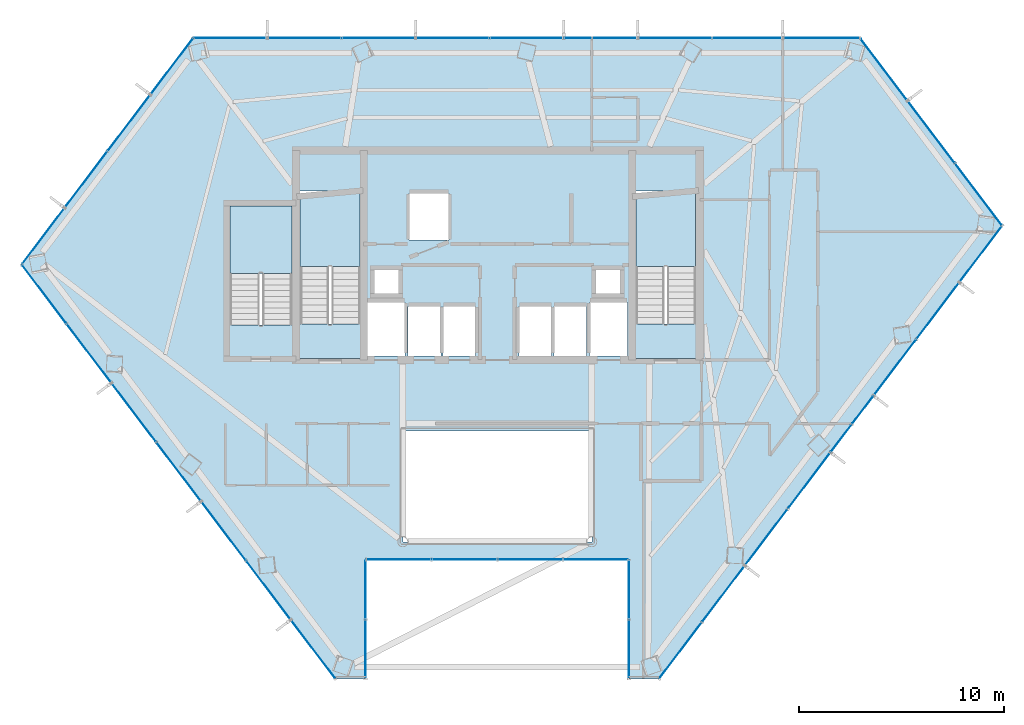
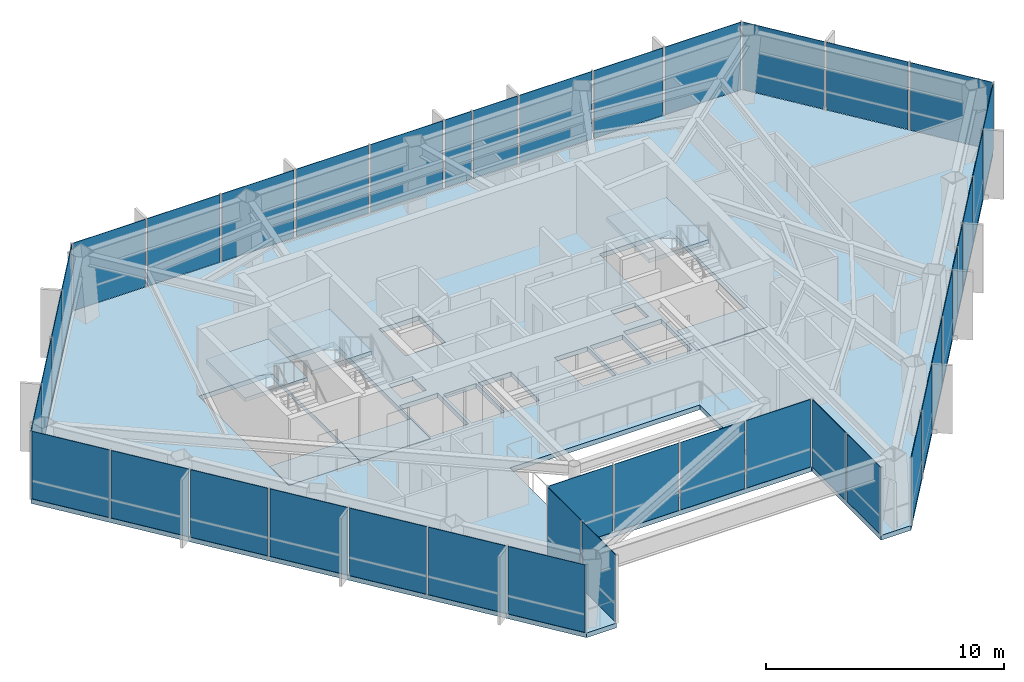
# One storey, part 26 of 30: 41 plates, 7 slabs, 11 elements without a shape of their own.
"""IFC4 building model written with IfcOpenShell, lengths in metres."""

from ifc_helpers import new_model, si_unit, direction, frame, origin, origin_2d, place, context, subcontext, project, spatial, polyline, rectangle, outline, extrude, material, layer, layer_set, type_object, element, aggregate, save


model = new_model("IFC4")

# Units and contexts
model_context = context("Model", 3, precision=1e-05, world=origin(), true_north=direction((0.0, 1.0)))
body_context = subcontext(model_context, "Body", "Model", "MODEL_VIEW")
ifc_project = project(units=[si_unit("LENGTHUNIT", "METRE"), si_unit("AREAUNIT", "SQUARE_METRE"), si_unit("VOLUMEUNIT", "CUBIC_METRE"), si_unit("PLANEANGLEUNIT", "RADIAN"), si_unit("MASSUNIT", "GRAM", prefix="KILO")], contexts=[model_context])

# Site, building, storey
site_placement = place(None, origin())
site = spatial("IfcSite", under=ifc_project, at=site_placement, CompositionType="ELEMENT")
building_placement = place(site_placement, origin())
building = spatial("IfcBuilding", under=site, at=building_placement, Name="Zarrinselat Tower", CompositionType="ELEMENT")
storey_placement = place(building_placement, frame((0.0, 0.0, 160.820068359375)))
storey = spatial("IfcBuildingStorey", under=building, at=storey_placement, Name="L39", CompositionType="ELEMENT", Elevation=160.820068359375)

# Curtain wall, plates
ifc_material_1 = material(Name="Extruded Aluminium Alloy EN AW-6063 T6", Category="aluminium")
ifc_layer_1 = layer(ifc_material_1, 0.175048828125)
ifc_layer_set_1 = layer_set([ifc_layer_1], Name="Extruded Aluminium Alloy EN AW-6063 T6")
curtain_wall_type_1 = type_object("IfcCurtainWallType", Name="CWS-HTL", PredefinedType="NOTDEFINED", material=ifc_layer_set_1)
curtain_wall_1_placement = place(storey_placement, origin())
curtain_wall_1 = element("IfcCurtainWall", 1, at=curtain_wall_1_placement, inside=storey, type_object=curtain_wall_type_1, Name="L39 Unitised Curtain Wall CW-L39-E01", PredefinedType="NOTDEFINED")
ifc_material_2 = material(Name="Double Low-E Laminated Solar Glass", Category="glass")
ifc_layer_2 = layer(ifc_material_2, 0.028076171875)
ifc_layer_set_2 = layer_set([ifc_layer_2], Name="Double Low-E Laminated Solar Glass")
plate_type = type_object("IfcPlateType", Name="PLT-CW-GL28", PredefinedType="CURTAIN_PANEL", material=ifc_layer_set_2)
plate_1_placement = place(storey_placement, frame((29.439697265625, 19.164306640625, 0.02001953125), z_axis=(0.0, 0.0, 1.0), x_axis=(-0.603857992276, 0.797091917639, 0.0)))
plate_1 = element("IfcPlate", 2, at=plate_1_placement, type_object=plate_type, Name="CW-L39-E01 Vision Glass Panel 1", PredefinedType="CURTAIN_PANEL", context=body_context, shape_type="SweptSolid", body=[
    extrude(rectangle(XDim=3.515869140625, YDim=0.028076171875, at=origin_2d()), origin(), (0.0, 0.0, 1.0), 3.4599609375),
])
plate_2_placement = place(storey_placement, frame((27.256103515625, 22.04638671875, 0.02001953125), z_axis=(0.0, 0.0, 1.0), x_axis=(-0.603857992276, 0.797091917639, 0.0)))
plate_2 = element("IfcPlate", 3, at=plate_2_placement, type_object=plate_type, Name="CW-L39-E01 Vision Glass Panel 2", PredefinedType="CURTAIN_PANEL", context=body_context, shape_type="SweptSolid", body=[
    extrude(rectangle(XDim=3.515869140625, YDim=0.028076171875, at=origin_2d()), origin(), (0.0, 0.0, 1.0), 3.4599609375),
])
plate_3_placement = place(storey_placement, frame((25.07275390625, 24.9287109375, 0.02001953125), z_axis=(0.0, 0.0, 1.0), x_axis=(-0.603857992276, 0.797091917639, 0.0)))
plate_3 = element("IfcPlate", 4, at=plate_3_placement, type_object=plate_type, Name="CW-L39-E01 Vision Glass Panel 3", PredefinedType="CURTAIN_PANEL", context=body_context, shape_type="SweptSolid", body=[
    extrude(rectangle(XDim=3.515869140625, YDim=0.028076171875, at=origin_2d()), origin(), (0.0, 0.0, 1.0), 3.4599609375),
])
plate_4_placement = place(storey_placement, frame((22.889404296875, 27.810791015625, 0.02001953125), z_axis=(0.0, 0.0, 1.0), x_axis=(-0.603857992276, 0.797091917639, 0.0)))
plate_4 = element("IfcPlate", 5, at=plate_4_placement, type_object=plate_type, Name="CW-L39-E01 Vision Glass Panel 4", PredefinedType="CURTAIN_PANEL", context=body_context, shape_type="SweptSolid", body=[
    extrude(rectangle(XDim=3.515869140625, YDim=0.028076171875, at=origin_2d()), origin(), (0.0, 0.0, 1.0), 3.4599609375),
])
plate_5_placement = place(storey_placement, frame((20.7060546875, 30.69287109375, 0.02001953125), z_axis=(0.0, 0.0, 1.0), x_axis=(-0.603857992276, 0.797091917639, 0.0)))
plate_5 = element("IfcPlate", 6, at=plate_5_placement, type_object=plate_type, Name="CW-L39-E01 Vision Glass Panel 5", PredefinedType="CURTAIN_PANEL", context=body_context, shape_type="SweptSolid", body=[
    extrude(rectangle(XDim=3.515869140625, YDim=0.028076171875, at=origin_2d()), origin(), (0.0, 0.0, 1.0), 3.4599609375),
])
plate_6_placement = place(storey_placement, frame((18.522705078125, 33.574951171875, 0.02001953125), z_axis=(0.0, 0.0, 1.0), x_axis=(-0.603857992276, 0.797091917639, 0.0)))
plate_6 = element("IfcPlate", 7, at=plate_6_placement, type_object=plate_type, Name="CW-L39-E01 Vision Glass Panel 6", PredefinedType="CURTAIN_PANEL", context=body_context, shape_type="SweptSolid", body=[
    extrude(rectangle(XDim=3.515869140625, YDim=0.028076171875, at=origin_2d()), origin(), (0.0, 0.0, 1.0), 3.4599609375),
])
plate_7_placement = place(storey_placement, frame((16.339111328125, 36.45703125, 0.02001953125), z_axis=(0.0, 0.0, 1.0), x_axis=(-0.603857992276, 0.797091917639, 0.0)))
plate_7 = element("IfcPlate", 8, at=plate_7_placement, type_object=plate_type, Name="CW-L39-E01 Vision Glass Panel 7", PredefinedType="CURTAIN_PANEL", context=body_context, shape_type="SweptSolid", body=[
    extrude(rectangle(XDim=3.515869140625, YDim=0.028076171875, at=origin_2d()), origin(), (0.0, 0.0, 1.0), 3.4599609375),
])
aggregate(curtain_wall_1, [plate_1, plate_2, plate_3, plate_4, plate_5, plate_6, plate_7])

curtain_wall_2_placement = place(storey_placement, origin())
curtain_wall_2 = element("IfcCurtainWall", 9, at=curtain_wall_2_placement, inside=storey, type_object=curtain_wall_type_1, Name="L39 Unitised Curtain Wall CW-L39-E02", PredefinedType="NOTDEFINED")
plate_8_placement = place(storey_placement, frame((16.291015625, 39.275390625, 0.02001953125), z_axis=(0.0, 0.0, 1.0), x_axis=(0.603857687995, 0.797092148154, 0.0)))
plate_8 = element("IfcPlate", 10, at=plate_8_placement, type_object=plate_type, Name="CW-L39-E02 Vision Glass Panel 1", PredefinedType="CURTAIN_PANEL", context=body_context, shape_type="SweptSolid", body=[
    extrude(rectangle(XDim=3.35595703125, YDim=0.028076171875, at=origin_2d()), origin(), (0.0, 0.0, 1.0), 3.4599609375),
])
plate_9_placement = place(storey_placement, frame((18.377685546875, 42.030029296875, 0.02001953125), z_axis=(0.0, 0.0, 1.0), x_axis=(0.603857687995, 0.797092148154, 0.0)))
plate_9 = element("IfcPlate", 11, at=plate_9_placement, type_object=plate_type, Name="CW-L39-E02 Vision Glass Panel 2", PredefinedType="CURTAIN_PANEL", context=body_context, shape_type="SweptSolid", body=[
    extrude(rectangle(XDim=3.35595703125, YDim=0.028076171875, at=origin_2d()), origin(), (0.0, 0.0, 1.0), 3.4599609375),
])
plate_10_placement = place(storey_placement, frame((20.464599609375, 44.78466796875, 0.02001953125), z_axis=(0.0, 0.0, 1.0), x_axis=(0.603857687995, 0.797092148154, 0.0)))
plate_10 = element("IfcPlate", 12, at=plate_10_placement, type_object=plate_type, Name="CW-L39-E02 Vision Glass Panel 3", PredefinedType="CURTAIN_PANEL", context=body_context, shape_type="SweptSolid", body=[
    extrude(rectangle(XDim=3.35595703125, YDim=0.028076171875, at=origin_2d()), origin(), (0.0, 0.0, 1.0), 3.4599609375),
])
plate_11_placement = place(storey_placement, frame((22.551513671875, 47.539306640625, 0.02001953125), z_axis=(0.0, 0.0, 1.0), x_axis=(0.603857687995, 0.797092148154, 0.0)))
plate_11 = element("IfcPlate", 13, at=plate_11_placement, type_object=plate_type, Name="CW-L39-E02 Vision Glass Panel 4", PredefinedType="CURTAIN_PANEL", context=body_context, shape_type="SweptSolid", body=[
    extrude(rectangle(XDim=3.35595703125, YDim=0.028076171875, at=origin_2d()), origin(), (0.0, 0.0, 1.0), 3.4599609375),
])
aggregate(curtain_wall_2, [plate_8, plate_9, plate_10, plate_11])

curtain_wall_3_placement = place(storey_placement, origin())
curtain_wall_3 = element("IfcCurtainWall", 14, at=curtain_wall_3_placement, inside=storey, type_object=curtain_wall_type_1, Name="L39 Unitised Curtain Wall CW-L39-E03", PredefinedType="NOTDEFINED")
plate_12_placement = place(storey_placement, frame((25.39892578125, 48.916748046875, 0.02001953125), z_axis=(0.0, 0.0, 1.0), x_axis=(1.0, 0.0, 0.0)))
plate_12 = element("IfcPlate", 15, at=plate_12_placement, type_object=plate_type, Name="CW-L39-E03 Vision Glass Panel 1", PredefinedType="CURTAIN_PANEL", context=body_context, shape_type="SweptSolid", body=[
    extrude(rectangle(XDim=3.5078125, YDim=0.028076171875, at=origin_2d()), origin(), (0.0, 0.0, 1.0), 3.4599609375),
])
plate_13_placement = place(storey_placement, frame((29.006591796875, 48.916748046875, 0.02001953125), z_axis=(0.0, 0.0, 1.0), x_axis=(1.0, 0.0, 0.0)))
plate_13 = element("IfcPlate", 16, at=plate_13_placement, type_object=plate_type, Name="CW-L39-E03 Vision Glass Panel 2", PredefinedType="CURTAIN_PANEL", context=body_context, shape_type="SweptSolid", body=[
    extrude(rectangle(XDim=3.5078125, YDim=0.028076171875, at=origin_2d()), origin(), (0.0, 0.0, 1.0), 3.4599609375),
])
plate_14_placement = place(storey_placement, frame((32.614501953125, 48.916748046875, 0.02001953125), z_axis=(0.0, 0.0, 1.0), x_axis=(1.0, 0.0, 0.0)))
plate_14 = element("IfcPlate", 17, at=plate_14_placement, type_object=plate_type, Name="CW-L39-E03 Vision Glass Panel 3", PredefinedType="CURTAIN_PANEL", context=body_context, shape_type="SweptSolid", body=[
    extrude(rectangle(XDim=3.5078125, YDim=0.028076171875, at=origin_2d()), origin(), (0.0, 0.0, 1.0), 3.4599609375),
])
plate_15_placement = place(storey_placement, frame((36.222412109375, 48.916748046875, 0.02001953125), z_axis=(0.0, 0.0, 1.0), x_axis=(1.0, 0.0, 0.0)))
plate_15 = element("IfcPlate", 18, at=plate_15_placement, type_object=plate_type, Name="CW-L39-E03 Vision Glass Panel 4", PredefinedType="CURTAIN_PANEL", context=body_context, shape_type="SweptSolid", body=[
    extrude(rectangle(XDim=3.5078125, YDim=0.028076171875, at=origin_2d()), origin(), (0.0, 0.0, 1.0), 3.4599609375),
])
plate_16_placement = place(storey_placement, frame((39.830078125, 48.916748046875, 0.02001953125), z_axis=(0.0, 0.0, 1.0), x_axis=(1.0, 0.0, 0.0)))
plate_16 = element("IfcPlate", 19, at=plate_16_placement, type_object=plate_type, Name="CW-L39-E03 Vision Glass Panel 5", PredefinedType="CURTAIN_PANEL", context=body_context, shape_type="SweptSolid", body=[
    extrude(rectangle(XDim=3.5078125, YDim=0.028076171875, at=origin_2d()), origin(), (0.0, 0.0, 1.0), 3.4599609375),
])
plate_17_placement = place(storey_placement, frame((42.31689453125, 48.916748046875, 0.02001953125), z_axis=(0.0, 0.0, 1.0), x_axis=(1.0, 0.0, 0.0)))
plate_17 = element("IfcPlate", 20, at=plate_17_placement, type_object=plate_type, Name="CW-L39-E03 Vision Glass Panel 6", PredefinedType="CURTAIN_PANEL", context=body_context, shape_type="SweptSolid", body=[
    extrude(rectangle(XDim=1.26611328125, YDim=0.028076171875, at=origin_2d()), origin(), (0.0, 0.0, 1.0), 3.4599609375),
])
plate_18_placement = place(storey_placement, frame((44.120849609375, 48.916748046875, 0.02001953125), z_axis=(0.0, 0.0, 1.0), x_axis=(1.0, 0.0, 0.0)))
plate_18 = element("IfcPlate", 21, at=plate_18_placement, type_object=plate_type, Name="CW-L39-E03 Vision Glass Panel 7", PredefinedType="CURTAIN_PANEL", context=body_context, shape_type="SweptSolid", body=[
    extrude(rectangle(XDim=2.141845703125, YDim=0.028076171875, at=origin_2d()), origin(), (0.0, 0.0, 1.0), 3.4599609375),
])
plate_19_placement = place(storey_placement, frame((47.045654296875, 48.916748046875, 0.02001953125), z_axis=(0.0, 0.0, 1.0), x_axis=(1.0, 0.0, 0.0)))
plate_19 = element("IfcPlate", 22, at=plate_19_placement, type_object=plate_type, Name="CW-L39-E03 Vision Glass Panel 8", PredefinedType="CURTAIN_PANEL", context=body_context, shape_type="SweptSolid", body=[
    extrude(rectangle(XDim=3.5078125, YDim=0.028076171875, at=origin_2d()), origin(), (0.0, 0.0, 1.0), 3.4599609375),
])
plate_20_placement = place(storey_placement, frame((50.57470703125, 48.916748046875, 0.02001953125), z_axis=(0.0, 0.0, 1.0), x_axis=(1.0, 0.0, 0.0)))
plate_20 = element("IfcPlate", 23, at=plate_20_placement, type_object=plate_type, Name="CW-L39-E03 Vision Glass Panel 9", PredefinedType="CURTAIN_PANEL", context=body_context, shape_type="SweptSolid", body=[
    extrude(rectangle(XDim=3.350341796875, YDim=0.028076171875, at=origin_2d()), origin(), (0.0, 0.0, 1.0), 3.4599609375),
])
plate_21_placement = place(storey_placement, frame((54.1826171875, 48.916748046875, 0.02001953125), z_axis=(0.0, 0.0, 1.0), x_axis=(1.0, 0.0, 0.0)))
plate_21 = element("IfcPlate", 24, at=plate_21_placement, type_object=plate_type, Name="CW-L39-E03 Vision Glass Panel 10", PredefinedType="CURTAIN_PANEL", context=body_context, shape_type="SweptSolid", body=[
    extrude(rectangle(XDim=3.665283203125, YDim=0.028076171875, at=origin_2d()), origin(), (0.0, 0.0, 1.0), 3.4599609375),
])
aggregate(curtain_wall_3, [plate_12, plate_13, plate_14, plate_15, plate_16, plate_17, plate_18, plate_19, plate_20, plate_21])

curtain_wall_4_placement = place(storey_placement, origin())
curtain_wall_4 = element("IfcCurtainWall", 25, at=curtain_wall_4_placement, inside=storey, type_object=curtain_wall_type_1, Name="L39 Unitised Curtain Wall CW-L39-E04", PredefinedType="NOTDEFINED")
plate_22_placement = place(storey_placement, frame((57.218017578125, 47.39501953125, 0.02001953125), z_axis=(0.0, 0.0, 1.0), x_axis=(0.603856343425, -0.797093166766, 0.0)))
plate_22 = element("IfcPlate", 26, at=plate_22_placement, type_object=plate_type, Name="CW-L39-E04 Vision Glass Panel 1", PredefinedType="CURTAIN_PANEL", context=body_context, shape_type="SweptSolid", body=[
    extrude(rectangle(XDim=3.718505859375, YDim=0.028076171875, at=origin_2d()), origin(), (0.0, 0.0, 1.0), 3.4599609375),
])
plate_23_placement = place(storey_placement, frame((59.52392578125, 44.351318359375, 0.02001953125), z_axis=(0.0, 0.0, 1.0), x_axis=(0.603856343425, -0.797093166766, 0.0)))
plate_23 = element("IfcPlate", 27, at=plate_23_placement, type_object=plate_type, Name="CW-L39-E04 Vision Glass Panel 2", PredefinedType="CURTAIN_PANEL", context=body_context, shape_type="SweptSolid", body=[
    extrude(rectangle(XDim=3.718505859375, YDim=0.028076171875, at=origin_2d()), origin(), (0.0, 0.0, 1.0), 3.4599609375),
])
plate_24_placement = place(storey_placement, frame((61.82958984375, 41.3076171875, 0.02001953125), z_axis=(0.0, 0.0, 1.0), x_axis=(0.603856343425, -0.797093166766, 0.0)))
plate_24 = element("IfcPlate", 28, at=plate_24_placement, type_object=plate_type, Name="CW-L39-E04 Vision Glass Panel 3", PredefinedType="CURTAIN_PANEL", context=body_context, shape_type="SweptSolid", body=[
    extrude(rectangle(XDim=3.718505859375, YDim=0.028076171875, at=origin_2d()), origin(), (0.0, 0.0, 1.0), 3.4599609375),
])
aggregate(curtain_wall_4, [plate_22, plate_23, plate_24])

curtain_wall_5_placement = place(storey_placement, origin())
curtain_wall_5 = element("IfcCurtainWall", 29, at=curtain_wall_5_placement, inside=storey, type_object=curtain_wall_type_1, Name="L39 Unitised Curtain Wall CW-L39-E05", PredefinedType="NOTDEFINED")
plate_25_placement = place(storey_placement, frame((61.93798828125, 38.40673828125, 0.02001953125), z_axis=(0.0, 0.0, 1.0), x_axis=(-0.603858522722, -0.797091515785, 0.0)))
plate_25 = element("IfcPlate", 30, at=plate_25_placement, type_object=plate_type, Name="CW-L39-E05 Vision Glass Panel 1", PredefinedType="CURTAIN_PANEL", context=body_context, shape_type="SweptSolid", body=[
    extrude(rectangle(XDim=3.35986328125, YDim=0.028076171875, at=origin_2d()), origin(), (0.0, 0.0, 1.0), 3.4599609375),
])
plate_26_placement = place(storey_placement, frame((59.8486328125, 35.64892578125, 0.02001953125), z_axis=(0.0, 0.0, 1.0), x_axis=(-0.603858522722, -0.797091515785, 0.0)))
plate_26 = element("IfcPlate", 31, at=plate_26_placement, type_object=plate_type, Name="CW-L39-E05 Vision Glass Panel 2", PredefinedType="CURTAIN_PANEL", context=body_context, shape_type="SweptSolid", body=[
    extrude(rectangle(XDim=3.35986328125, YDim=0.028076171875, at=origin_2d()), origin(), (0.0, 0.0, 1.0), 3.4599609375),
])
plate_27_placement = place(storey_placement, frame((57.759521484375, 32.89111328125, 0.02001953125), z_axis=(0.0, 0.0, 1.0), x_axis=(-0.603858522722, -0.797091515785, 0.0)))
plate_27 = element("IfcPlate", 32, at=plate_27_placement, type_object=plate_type, Name="CW-L39-E05 Vision Glass Panel 3", PredefinedType="CURTAIN_PANEL", context=body_context, shape_type="SweptSolid", body=[
    extrude(rectangle(XDim=3.35986328125, YDim=0.028076171875, at=origin_2d()), origin(), (0.0, 0.0, 1.0), 3.4599609375),
])
plate_28_placement = place(storey_placement, frame((56.18505859375, 30.81298828125, 0.02001953125), z_axis=(0.0, 0.0, 1.0), x_axis=(-0.603858522722, -0.797091515785, 0.0)))
plate_28 = element("IfcPlate", 33, at=plate_28_placement, type_object=plate_type, Name="CW-L39-E05 Vision Glass Panel 4", PredefinedType="CURTAIN_PANEL", context=body_context, shape_type="SweptSolid", body=[
    extrude(rectangle(XDim=1.654541015625, YDim=0.028076171875, at=origin_2d()), origin(), (0.0, 0.0, 1.0), 3.4599609375),
])
plate_29_placement = place(storey_placement, frame((55.140380859375, 29.43408203125, 0.02001953125), z_axis=(0.0, 0.0, 1.0), x_axis=(-0.603858522722, -0.797091515785, 0.0)))
plate_29 = element("IfcPlate", 34, at=plate_29_placement, type_object=plate_type, Name="CW-L39-E05 Vision Glass Panel 5", PredefinedType="CURTAIN_PANEL", context=body_context, shape_type="SweptSolid", body=[
    extrude(rectangle(XDim=1.605224609375, YDim=0.028076171875, at=origin_2d()), origin(), (0.0, 0.0, 1.0), 3.4599609375),
])
plate_30_placement = place(storey_placement, frame((53.5810546875, 27.375732421875, 0.02001953125), z_axis=(0.0, 0.0, 1.0), x_axis=(-0.603858522722, -0.797091515785, 0.0)))
plate_30 = element("IfcPlate", 35, at=plate_30_placement, type_object=plate_type, Name="CW-L39-E05 Vision Glass Panel 6", PredefinedType="CURTAIN_PANEL", context=body_context, shape_type="SweptSolid", body=[
    extrude(rectangle(XDim=3.35986328125, YDim=0.028076171875, at=origin_2d()), origin(), (0.0, 0.0, 1.0), 3.4599609375),
])
plate_31_placement = place(storey_placement, frame((51.49169921875, 24.617919921875, 0.02001953125), z_axis=(0.0, 0.0, 1.0), x_axis=(-0.603858522722, -0.797091515785, 0.0)))
plate_31 = element("IfcPlate", 36, at=plate_31_placement, type_object=plate_type, Name="CW-L39-E05 Vision Glass Panel 7", PredefinedType="CURTAIN_PANEL", context=body_context, shape_type="SweptSolid", body=[
    extrude(rectangle(XDim=3.35986328125, YDim=0.028076171875, at=origin_2d()), origin(), (0.0, 0.0, 1.0), 3.4599609375),
])
plate_32_placement = place(storey_placement, frame((49.402587890625, 21.860107421875, 0.02001953125), z_axis=(0.0, 0.0, 1.0), x_axis=(-0.603858522722, -0.797091515785, 0.0)))
plate_32 = element("IfcPlate", 37, at=plate_32_placement, type_object=plate_type, Name="CW-L39-E05 Vision Glass Panel 8", PredefinedType="CURTAIN_PANEL", context=body_context, shape_type="SweptSolid", body=[
    extrude(rectangle(XDim=3.35986328125, YDim=0.028076171875, at=origin_2d()), origin(), (0.0, 0.0, 1.0), 3.4599609375),
])
plate_33_placement = place(storey_placement, frame((47.313232421875, 19.102294921875, 0.02001953125), z_axis=(0.0, 0.0, 1.0), x_axis=(-0.603858522722, -0.797091515785, 0.0)))
plate_33 = element("IfcPlate", 38, at=plate_33_placement, type_object=plate_type, Name="CW-L39-E05 Vision Glass Panel 9", PredefinedType="CURTAIN_PANEL", context=body_context, shape_type="SweptSolid", body=[
    extrude(rectangle(XDim=3.35986328125, YDim=0.028076171875, at=origin_2d()), origin(), (0.0, 0.0, 1.0), 3.4599609375),
])
aggregate(curtain_wall_5, [plate_25, plate_26, plate_27, plate_28, plate_29, plate_30, plate_31, plate_32, plate_33])

ifc_material_3 = material(Name="Extruded Aluminium Alloy EN AW-6063 T6", Category="aluminium")
ifc_layer_3 = layer(ifc_material_3, 0.18994140625)
ifc_layer_set_3 = layer_set([ifc_layer_3], Name="Extruded Aluminium Alloy EN AW-6063 T6")
curtain_wall_type_2 = type_object("IfcCurtainWallType", Name="CWS-SG", PredefinedType="NOTDEFINED", material=ifc_layer_set_3)
curtain_wall_6_placement = place(storey_placement, origin())
curtain_wall_6 = element("IfcCurtainWall", 39, at=curtain_wall_6_placement, inside=storey, type_object=curtain_wall_type_2, Name="L39 Unitised Curtain Wall CW-L39-E07", PredefinedType="NOTDEFINED")
plate_34_placement = place(storey_placement, frame((44.81494140625, 19.17333984375, 0.02001953125), z_axis=(0.0, 0.0, 1.0), x_axis=(0.0, 1.0, 0.0)))
plate_34 = element("IfcPlate", 40, at=plate_34_placement, type_object=plate_type, Name="CW-L39-E07 Vision Glass Panel 1", PredefinedType="CURTAIN_PANEL", context=body_context, shape_type="SweptSolid", body=[
    extrude(rectangle(XDim=2.800048828125, YDim=0.028076171875, at=origin_2d()), origin(), (0.0, 0.0, 1.0), 3.4599609375),
])
plate_35_placement = place(storey_placement, frame((44.81494140625, 22.073486328125, 0.02001953125), z_axis=(0.0, 0.0, 1.0), x_axis=(0.0, 1.0, 0.0)))
plate_35 = element("IfcPlate", 41, at=plate_35_placement, type_object=plate_type, Name="CW-L39-E07 Vision Glass Panel 2", PredefinedType="CURTAIN_PANEL", context=body_context, shape_type="SweptSolid", body=[
    extrude(rectangle(XDim=2.800048828125, YDim=0.028076171875, at=origin_2d()), origin(), (0.0, 0.0, 1.0), 3.4599609375),
])
aggregate(curtain_wall_6, [plate_34, plate_35])

curtain_wall_7_placement = place(storey_placement, origin())
curtain_wall_7 = element("IfcCurtainWall", 42, at=curtain_wall_7_placement, inside=storey, type_object=curtain_wall_type_2, Name="L39 Unitised Curtain Wall CW-L39-E24", PredefinedType="NOTDEFINED")
plate_36_placement = place(storey_placement, frame((43.199951171875, 23.538330078125, 0.02001953125), z_axis=(0.0, 0.0, 1.0), x_axis=(-1.0, 0.0, 0.0)))
plate_36 = element("IfcPlate", 43, at=plate_36_placement, type_object=plate_type, Name="CW-L39-E24 Vision Glass Panel 1", PredefinedType="CURTAIN_PANEL", context=body_context, shape_type="SweptSolid", body=[
    extrude(rectangle(XDim=3.10009765625, YDim=0.028076171875, at=origin_2d()), origin(), (0.0, 0.0, 1.0), 3.4599609375),
])
plate_37_placement = place(storey_placement, frame((40.0, 23.538330078125, 0.02001953125), z_axis=(0.0, 0.0, 1.0), x_axis=(-1.0, 0.0, 0.0)))
plate_37 = element("IfcPlate", 44, at=plate_37_placement, type_object=plate_type, Name="CW-L39-E24 Vision Glass Panel 2", PredefinedType="CURTAIN_PANEL", context=body_context, shape_type="SweptSolid", body=[
    extrude(rectangle(XDim=3.10009765625, YDim=0.028076171875, at=origin_2d()), origin(), (0.0, 0.0, 1.0), 3.4599609375),
])
plate_38_placement = place(storey_placement, frame((36.800048828125, 23.538330078125, 0.02001953125), z_axis=(0.0, 0.0, 1.0), x_axis=(-1.0, 0.0, 0.0)))
plate_38 = element("IfcPlate", 45, at=plate_38_placement, type_object=plate_type, Name="CW-L39-E24 Vision Glass Panel 3", PredefinedType="CURTAIN_PANEL", context=body_context, shape_type="SweptSolid", body=[
    extrude(rectangle(XDim=3.10009765625, YDim=0.028076171875, at=origin_2d()), origin(), (0.0, 0.0, 1.0), 3.4599609375),
])
plate_39_placement = place(storey_placement, frame((33.60009765625, 23.538330078125, 0.02001953125), z_axis=(0.0, 0.0, 1.0), x_axis=(-1.0, 0.0, 0.0)))
plate_39 = element("IfcPlate", 46, at=plate_39_placement, type_object=plate_type, Name="CW-L39-E24 Vision Glass Panel 4", PredefinedType="CURTAIN_PANEL", context=body_context, shape_type="SweptSolid", body=[
    extrude(rectangle(XDim=3.10009765625, YDim=0.028076171875, at=origin_2d()), origin(), (0.0, 0.0, 1.0), 3.4599609375),
])
aggregate(curtain_wall_7, [plate_36, plate_37, plate_38, plate_39])

curtain_wall_8_placement = place(storey_placement, origin())
curtain_wall_8 = element("IfcCurtainWall", 47, at=curtain_wall_8_placement, inside=storey, type_object=curtain_wall_type_2, Name="L39 Unitised Curtain Wall CW-L39-E41", PredefinedType="NOTDEFINED")
plate_40_placement = place(storey_placement, frame((31.985107421875, 22.073486328125, 0.02001953125), z_axis=(0.0, 0.0, 1.0), x_axis=(0.0, -1.0, 0.0)))
plate_40 = element("IfcPlate", 48, at=plate_40_placement, type_object=plate_type, Name="CW-L39-E41 Vision Glass Panel 1", PredefinedType="CURTAIN_PANEL", context=body_context, shape_type="SweptSolid", body=[
    extrude(rectangle(XDim=2.800048828125, YDim=0.028076171875, at=origin_2d()), origin(), (0.0, 0.0, 1.0), 3.4599609375),
])
plate_41_placement = place(storey_placement, frame((31.985107421875, 19.17333984375, 0.02001953125), z_axis=(0.0, 0.0, 1.0), x_axis=(0.0, -1.0, 0.0)))
plate_41 = element("IfcPlate", 49, at=plate_41_placement, type_object=plate_type, Name="CW-L39-E41 Vision Glass Panel 2", PredefinedType="CURTAIN_PANEL", context=body_context, shape_type="SweptSolid", body=[
    extrude(rectangle(XDim=2.800048828125, YDim=0.028076171875, at=origin_2d()), origin(), (0.0, 0.0, 1.0), 3.4599609375),
])
aggregate(curtain_wall_8, [plate_40, plate_41])

# Slabs
ifc_material_4 = material(Name="Concrete C40/50", Category="concrete")
ifc_layer_4 = layer(ifc_material_4, 0.239990234375)
ifc_layer_set_4 = layer_set([ifc_layer_4], Name="Concrete C40/50")
slab_type_1 = type_object("IfcSlabType", Name="SLB-FLOOR-240-SL-HT240", PredefinedType="FLOOR", material=ifc_layer_set_4)
slab_1_placement = place(storey_placement, frame((0.0, 0.0, -0.239990234375)))
element("IfcSlab", 50, at=slab_1_placement, inside=storey, type_object=slab_type_1, Name="L39 Primary Structural Slab", PredefinedType="FLOOR", context=body_context, shape_type="SweptSolid", body=[
    extrude(outline(polyline([(30.53125, 17.723388671875), (15.24755859375, 37.89794921875), (23.594970703125, 48.916748046875), (56.065185546875, 48.916748046875), (62.982666015625, 39.78564453125), (46.268798828125, 17.723388671875), (44.81494140625, 17.723388671875), (44.81494140625, 23.5234375), (44.81494140625, 23.52490234375), (44.814697265625, 23.5263671875), (44.814453125, 23.52783203125), (44.81396484375, 23.529052734375), (44.813232421875, 23.530517578125), (44.8125, 23.53173828125), (44.8115234375, 23.532958984375), (44.810546875, 23.533935546875), (44.8095703125, 23.534912109375), (44.808349609375, 23.535888671875), (44.80712890625, 23.53662109375), (44.8056640625, 23.537353515625), (44.804443359375, 23.537841796875), (44.802978515625, 23.5380859375), (44.801513671875, 23.538330078125), (44.800048828125, 23.538330078125), (32.0, 23.538330078125), (31.99853515625, 23.538330078125), (31.9970703125, 23.5380859375), (31.99560546875, 23.537841796875), (31.994384765625, 23.537353515625), (31.992919921875, 23.53662109375), (31.99169921875, 23.535888671875), (31.990478515625, 23.534912109375), (31.989501953125, 23.533935546875), (31.98828125, 23.532958984375), (31.987548828125, 23.53173828125), (31.98681640625, 23.530517578125), (31.986083984375, 23.529052734375), (31.985595703125, 23.52783203125), (31.9853515625, 23.5263671875), (31.985107421875, 23.52490234375), (31.985107421875, 23.5234375), (31.985107421875, 17.723388671875), (30.53125, 17.723388671875)]), holes=[polyline([(35.64990234375, 33.449951171875), (34.050048828125, 33.449951171875), (34.050048828125, 35.85009765625), (35.64990234375, 35.85009765625), (35.64990234375, 33.449951171875)]), polyline([(35.75, 33.449951171875), (35.75, 35.85009765625), (37.35009765625, 35.85009765625), (37.35009765625, 33.449951171875), (35.75, 33.449951171875)]), polyline([(32.06005859375, 33.449951171875), (32.06005859375, 36.050048828125), (33.89990234375, 36.050048828125), (33.89990234375, 33.449951171875), (32.06005859375, 33.449951171875)]), polyline([(33.60009765625, 36.47998046875), (32.419921875, 36.47998046875), (32.419921875, 37.639892578125), (33.60009765625, 37.639892578125), (33.60009765625, 36.47998046875)]), polyline([(28.594970703125, 33.324951171875), (25.114990234375, 33.324951171875), (25.114990234375, 40.875), (28.594970703125, 40.875), (28.594970703125, 33.324951171875)]), polyline([(31.985107421875, 33.324951171875), (28.60498046875, 33.324951171875), (28.60498046875, 41.47509765625), (31.985107421875, 41.47509765625), (31.985107421875, 33.324951171875)]), polyline([(36.050048828125, 39.10009765625), (34.10009765625, 39.10009765625), (34.10009765625, 41.35009765625), (36.050048828125, 41.35009765625), (36.050048828125, 39.10009765625)]), polyline([(33.800048828125, 24.39990234375), (33.800048828125, 29.800048828125), (43.0, 29.800048828125), (43.0, 24.39990234375), (33.800048828125, 24.39990234375)]), polyline([(39.449951171875, 33.449951171875), (39.449951171875, 35.85009765625), (41.050048828125, 35.85009765625), (41.050048828125, 33.449951171875), (39.449951171875, 33.449951171875)]), polyline([(41.14990234375, 33.449951171875), (41.14990234375, 35.85009765625), (42.75, 35.85009765625), (42.75, 33.449951171875), (41.14990234375, 33.449951171875)]), polyline([(42.89990234375, 33.449951171875), (42.89990234375, 36.050048828125), (44.739990234375, 36.050048828125), (44.739990234375, 33.449951171875), (42.89990234375, 33.449951171875)]), polyline([(43.199951171875, 36.47998046875), (43.199951171875, 37.639892578125), (44.3798828125, 37.639892578125), (44.3798828125, 36.47998046875), (43.199951171875, 36.47998046875)]), polyline([(48.324951171875, 33.324951171875), (44.875, 33.324951171875), (44.875, 41.47509765625), (48.324951171875, 41.47509765625), (48.324951171875, 33.324951171875)])]), origin(), (0.0, 0.0, 1.0), 0.239990234375),
])
slab_2_placement = place(storey_placement, frame((0.0, 0.0, -0.239990234375)))
element("IfcSlab", 51, at=slab_2_placement, inside=storey, type_object=slab_type_1, Name="L39 Stair ST-1-FL1 Structural Floor Landing", PredefinedType="FLOOR", context=body_context, shape_type="SweptSolid", body=[
    extrude(outline(polyline([(31.97998046875, 33.330078125), (31.97998046875, 35.0), (28.610107421875, 35.0), (28.610107421875, 33.330078125), (31.97998046875, 33.330078125)])), origin(), (0.0, 0.0, 1.0), 0.239990234375),
])
slab_3_placement = place(storey_placement, frame((0.0, 0.0, -0.239990234375)))
element("IfcSlab", 52, at=slab_3_placement, inside=storey, type_object=slab_type_1, Name="L39 Stair ST-2-FL1 Structural Floor Landing", PredefinedType="FLOOR", context=body_context, shape_type="SweptSolid", body=[
    extrude(outline(polyline([(48.320068359375, 33.330078125), (48.320068359375, 35.0), (44.8798828125, 35.0), (44.8798828125, 33.330078125), (48.320068359375, 33.330078125)])), origin(), (0.0, 0.0, 1.0), 0.239990234375),
])
slab_4_placement = place(storey_placement, frame((0.0, 0.0, -0.239990234375)))
element("IfcSlab", 53, at=slab_4_placement, inside=storey, type_object=slab_type_1, Name="L39 Stair ST-3-FL1 Structural Floor Landing", PredefinedType="FLOOR", context=body_context, shape_type="SweptSolid", body=[
    extrude(outline(polyline([(28.590087890625, 33.330078125), (28.590087890625, 34.949951171875), (25.1201171875, 34.949951171875), (25.1201171875, 33.330078125), (28.590087890625, 33.330078125)])), origin(), (0.0, 0.0, 1.0), 0.239990234375),
])

# Stair, slab
ifc_material_5 = material(Name="Concrete C40/50", Category="concrete")
stair_type_1 = type_object("IfcStairType", Name="STR-CORE-145", PredefinedType="HALF_TURN_STAIR", material=ifc_material_5)
stair_1_placement = place(storey_placement, origin())
stair_1 = element("IfcStair", 54, at=stair_1_placement, inside=storey, type_object=stair_type_1, Name="L39 Podium & Mid-Tower Exit Stair 3", PredefinedType="HALF_TURN_STAIR")
ifc_material_6 = material(Name="Concrete C40/50", Category="concrete")
ifc_layer_5 = layer(ifc_material_6, 0.1650390625)
ifc_layer_set_5 = layer_set([ifc_layer_5], Name="Concrete C40/50")
slab_type_2 = type_object("IfcSlabType", Name="SLB-LND-165", PredefinedType="LANDING", material=ifc_layer_set_5)
slab_5_placement = place(storey_placement, frame((0.0, 0.0, 1.669921875)))
slab_5 = element("IfcSlab", 55, at=slab_5_placement, type_object=slab_type_2, Name="ST-3 landing 1", PredefinedType="LANDING", context=body_context, shape_type="SweptSolid", body=[
    extrude(outline(polyline([(28.39990234375, 37.469970703125), (28.39990234375, 40.75), (25.3798828125, 40.75), (25.3798828125, 37.469970703125), (28.39990234375, 37.469970703125)])), origin(), (0.0, 0.0, 1.0), 0.199951171875),
])
aggregate(stair_1, [slab_5])

ifc_material_7 = material(Name="Concrete C40/50", Category="concrete")
stair_type_2 = type_object("IfcStairType", Name="STR-CORE-155", PredefinedType="HALF_TURN_STAIR", material=ifc_material_7)
stair_2_placement = place(storey_placement, origin())
stair_2 = element("IfcStair", 56, at=stair_2_placement, inside=storey, type_object=stair_type_2, Name="L39 Core Exit Stair 1", PredefinedType="HALF_TURN_STAIR")
ifc_material_8 = material(Name="Concrete C40/50", Category="concrete")
ifc_layer_6 = layer(ifc_material_8, 0.18994140625)
ifc_layer_set_6 = layer_set([ifc_layer_6], Name="Concrete C40/50")
slab_type_3 = type_object("IfcSlabType", Name="SLB-LND-190", PredefinedType="LANDING", material=ifc_layer_set_6)
slab_6_placement = place(storey_placement, frame((0.0, 0.0, 1.669921875)))
slab_6 = element("IfcSlab", 57, at=slab_6_placement, type_object=slab_type_3, Name="ST-1 landing 1", PredefinedType="LANDING", context=body_context, shape_type="SweptSolid", body=[
    extrude(outline(polyline([(31.719970703125, 37.7900390625), (31.719970703125, 41.35009765625), (28.800048828125, 41.35009765625), (28.800048828125, 37.7900390625), (31.719970703125, 37.7900390625)])), origin(), (0.0, 0.0, 1.0), 0.199951171875),
])
aggregate(stair_2, [slab_6])

stair_3_placement = place(storey_placement, origin())
stair_3 = element("IfcStair", 58, at=stair_3_placement, inside=storey, type_object=stair_type_2, Name="L39 Core Exit Stair 2", PredefinedType="HALF_TURN_STAIR")
slab_7_placement = place(storey_placement, frame((0.0, 0.0, 1.669921875)))
slab_7 = element("IfcSlab", 59, at=slab_7_placement, type_object=slab_type_3, Name="ST-2 landing 1", PredefinedType="LANDING", context=body_context, shape_type="SweptSolid", body=[
    extrude(outline(polyline([(48.06005859375, 37.7900390625), (48.06005859375, 41.35009765625), (45.139892578125, 41.35009765625), (45.139892578125, 37.7900390625), (48.06005859375, 37.7900390625)])), origin(), (0.0, 0.0, 1.0), 0.199951171875),
])
aggregate(stair_3, [slab_7])

save(model, "model.ifc")
